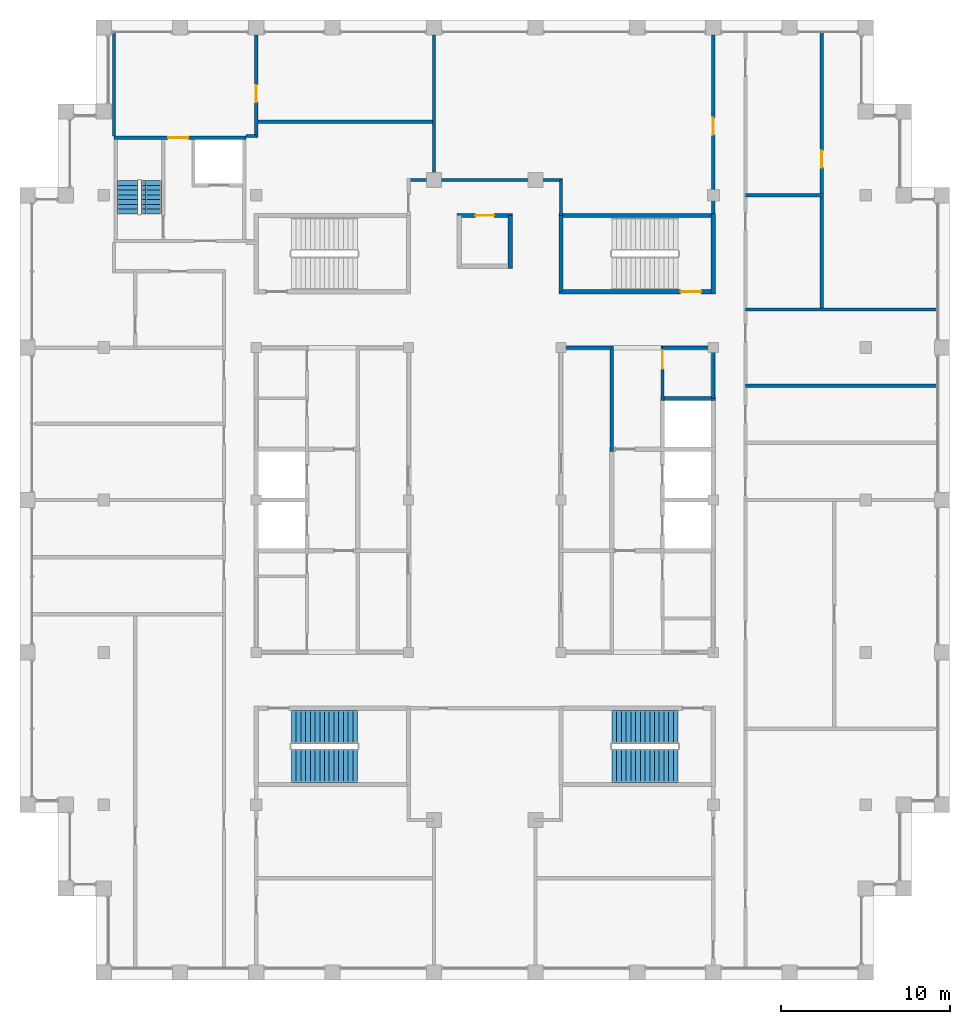
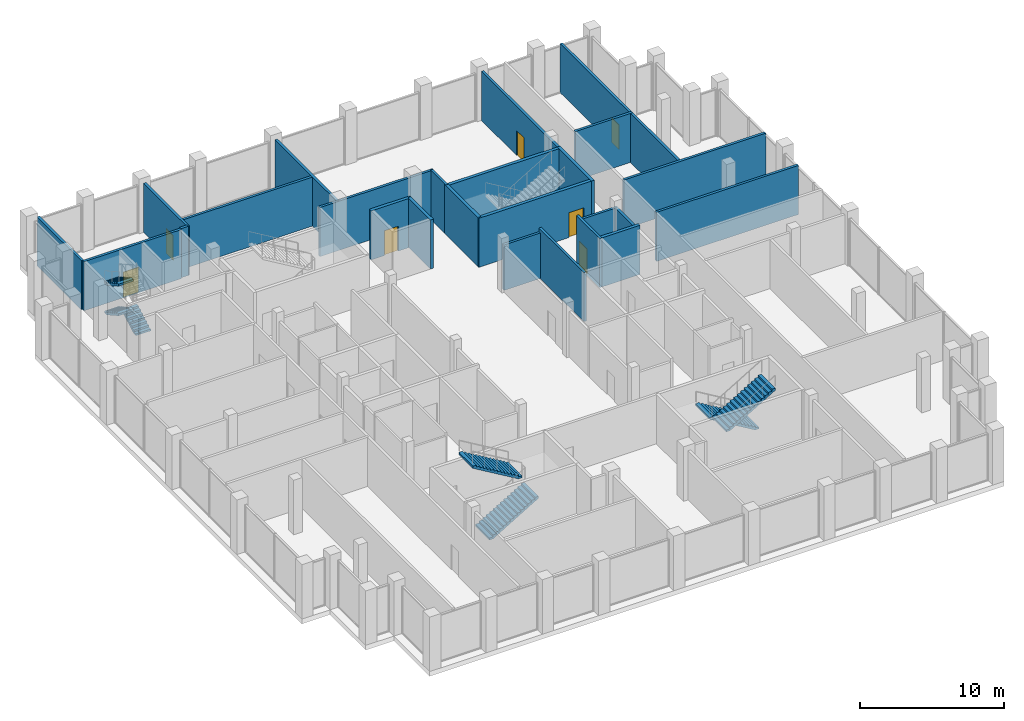
# One storey, part 10 of 12: 25 walls, 7 doors, 7 stair flights, 7 openings, 3 elements without a shape of their own.
"""IFC4 building model written with IfcOpenShell, lengths in metres."""

from ifc_helpers import new_model, si_unit, direction, frame, frame_2d, origin, place, context, subcontext, project, spatial, polyline, rectangle, outline, extrude, material, layer, layer_set, type_object, element, fill, aggregate, save


model = new_model("IFC4")

# Units and contexts
model_context = context("Model", 3, precision=1e-05, world=origin(), true_north=direction((0.0, 1.0)))
body_context = subcontext(model_context, "Body", "Model", "MODEL_VIEW")
ifc_project = project(units=[si_unit("LENGTHUNIT", "METRE"), si_unit("AREAUNIT", "SQUARE_METRE"), si_unit("VOLUMEUNIT", "CUBIC_METRE"), si_unit("PLANEANGLEUNIT", "RADIAN"), si_unit("MASSUNIT", "GRAM", prefix="KILO")], contexts=[model_context])

# Site, building, storey
site_placement = place(None, origin())
site = spatial("IfcSite", under=ifc_project, at=site_placement, CompositionType="ELEMENT")
building_placement = place(site_placement, origin())
building = spatial("IfcBuilding", under=site, at=building_placement, Name="Corbelhall Arena Tower", CompositionType="ELEMENT")
storey_placement = place(building_placement, frame((0.0, 0.0, 356.0)))
storey = spatial("IfcBuildingStorey", under=building, at=storey_placement, Name="L78", CompositionType="ELEMENT", Elevation=356.0)

# Walls
ifc_material_1 = material(Name="Gypsum board on steel stud, acoustic", Category="steel")
ifc_layer_1 = layer(ifc_material_1, 0.199951171875)
ifc_layer_set_1 = layer_set([ifc_layer_1], Name="IN-W-DM200")
wall_type_1 = type_object("IfcWallType", Name="IN-W-DM200", PredefinedType="PARTITIONING", material=ifc_layer_set_1)
wall_1_placement = place(storey_placement, frame((-21.89990234375, 21.5, 0.0), z_axis=(0.0, 0.0, 1.0), x_axis=(0.0, 1.0, 0.0)))
element("IfcWall", 1, at=wall_1_placement, inside=storey, type_object=wall_type_1, Name="Partition 006", PredefinedType="PARTITIONING", context=body_context, shape_type="SweptSolid", body=[
    extrude(rectangle(XDim=6.135986328125, YDim=0.199951171875, at=frame_2d((3.06787109375, 0.0))), origin(), (0.0, 0.0, 1.0), 4.149658203125),
])
wall_2_placement = place(storey_placement, frame((-13.5, 21.5, 0.0), z_axis=(0.0, 0.0, 1.0), x_axis=(-1.0, 0.0, 0.0)))
element("IfcWall", 2, at=wall_2_placement, inside=storey, type_object=wall_type_1, Name="Partition 015", PredefinedType="PARTITIONING", context=body_context, shape_type="SweptSolid", body=[
    extrude(rectangle(XDim=0.60009765625, YDim=0.199951171875, at=frame_2d((0.300048828125, 0.0))), origin(), (0.0, 0.0, 1.0), 4.149658203125),
])
wall_3_placement = place(storey_placement, frame((-13.5, 22.35009765625, 0.0), z_axis=(0.0, 0.0, 1.0), x_axis=(1.0, 0.0, 0.0)))
element("IfcWall", 3, at=wall_3_placement, inside=storey, type_object=wall_type_1, Name="Partition 016", PredefinedType="PARTITIONING", context=body_context, shape_type="SweptSolid", body=[
    extrude(rectangle(XDim=10.60009765625, YDim=0.199951171875, at=frame_2d((5.300048828125, 0.0))), origin(), (0.0, 0.0, 1.0), 4.149658203125),
])

# Wall, opening, door
wall_4_placement = place(storey_placement, frame((-13.5, 27.449951171875, 0.0), z_axis=(0.0, 0.0, 1.0), x_axis=(0.0, -1.0, 0.0)))
wall_4 = element("IfcWall", 4, at=wall_4_placement, inside=storey, type_object=wall_type_1, Name="Partition 017", PredefinedType="PARTITIONING", context=body_context, shape_type="SweptSolid", body=[
    extrude(rectangle(XDim=6.050048828125, YDim=0.199951171875, at=frame_2d((3.02490234375, 0.0))), origin(), (0.0, 0.0, 1.0), 4.149658203125),
])
opening_1_placement = place(wall_4_placement, frame((2.949951171875, 0.0, 0.0)))
opening_1 = element("IfcOpeningElement", 5, at=opening_1_placement, cuts=wall_4, Name="Opening 32022", PredefinedType="OPENING", context=body_context, shape_type="SweptSolid", body=[
    extrude(rectangle(XDim=1.0, YDim=2.10009765625, at=frame_2d((0.5, 1.050048828125))), frame((0.0, 0.10009765625, 0.0), z_axis=(0.0, -1.0, 0.0), x_axis=(1.0, 0.0, 0.0)), (0.0, 0.0, 1.0), 0.199951171875),
])
ifc_material_2 = material(Name="Steel door set", Category="steel")
door_type_1 = type_object("IfcDoorType", Name="IN-D-SW100", OperationType="NOTDEFINED", PredefinedType="DOOR", material=ifc_material_2)
door_1_placement = place(opening_1_placement, origin())
door_1 = element("IfcDoor", 6, at=door_1_placement, inside=storey, type_object=door_type_1, Name="Door 022", OperationType="SINGLE_SWING_LEFT", OverallHeight=2.10009765625, OverallWidth=1.0, PredefinedType="DOOR", context=body_context, shape_type="SweptSolid", body=[
    extrude(rectangle(XDim=1.0, YDim=2.10009765625, at=frame_2d((0.5, 1.050048828125))), frame((0.0, 0.02490234375, 0.0), z_axis=(0.0, -1.0, 0.0), x_axis=(1.0, 0.0, 0.0)), (0.0, 0.0, 1.0), 0.050048828125),
])
fill(opening_1, door_1)

# Walls
wall_5_placement = place(storey_placement, frame((-4.5, 18.89990234375, 0.0), z_axis=(0.0, 0.0, 1.0), x_axis=(1.0, 0.0, 0.0)))
element("IfcWall", 7, at=wall_5_placement, inside=storey, type_object=wall_type_1, Name="Partition 020", PredefinedType="PARTITIONING", context=body_context, shape_type="SweptSolid", body=[
    extrude(rectangle(XDim=9.10009765625, YDim=0.199951171875, at=frame_2d((4.550048828125, 0.0))), origin(), (0.0, 0.0, 1.0), 4.149658203125),
])
wall_6_placement = place(storey_placement, frame((-3.0, 27.449951171875, 0.0), z_axis=(0.0, 0.0, 1.0), x_axis=(0.0, -1.0, 0.0)))
element("IfcWall", 8, at=wall_6_placement, inside=storey, type_object=wall_type_1, Name="Partition 023", PredefinedType="PARTITIONING", context=body_context, shape_type="SweptSolid", body=[
    extrude(rectangle(XDim=8.550048828125, YDim=0.199951171875, at=frame_2d((4.27490234375, 0.0))), origin(), (0.0, 0.0, 1.0), 4.149658203125),
])
wall_7_placement = place(storey_placement, frame((4.5, 18.89990234375, 0.0), z_axis=(0.0, 0.0, 1.0), x_axis=(0.0, -1.0, 0.0)))
element("IfcWall", 9, at=wall_7_placement, inside=storey, type_object=wall_type_1, Name="Partition 028", PredefinedType="PARTITIONING", context=body_context, shape_type="SweptSolid", body=[
    extrude(rectangle(XDim=2.099853515625, YDim=0.199951171875, at=frame_2d((1.0498046875, 0.0))), origin(), (0.0, 0.0, 1.0), 4.149658203125),
])

# Wall, opening, door
wall_8_placement = place(storey_placement, frame((13.5, 16.675048828125, 0.0), z_axis=(0.0, 0.0, 1.0), x_axis=(0.0, 1.0, 0.0)))
wall_8 = element("IfcWall", 10, at=wall_8_placement, inside=storey, type_object=wall_type_1, Name="Partition 031", PredefinedType="PARTITIONING", context=body_context, shape_type="SweptSolid", body=[
    extrude(rectangle(XDim=10.77490234375, YDim=0.199951171875, at=frame_2d((5.387451171875, 0.0))), origin(), (0.0, 0.0, 1.0), 4.149658203125),
])
opening_2_placement = place(wall_8_placement, frame((4.89990234375, 0.0, 0.0)))
opening_2 = element("IfcOpeningElement", 11, at=opening_2_placement, cuts=wall_8, Name="Opening 32023", PredefinedType="OPENING", context=body_context, shape_type="SweptSolid", body=[
    extrude(rectangle(XDim=1.0, YDim=2.10009765625, at=frame_2d((0.5, 1.050048828125))), frame((0.0, 0.10009765625, 0.0), z_axis=(0.0, -1.0, 0.0), x_axis=(1.0, 0.0, 0.0)), (0.0, 0.0, 1.0), 0.199951171875),
])
door_2_placement = place(opening_2_placement, origin())
door_2 = element("IfcDoor", 12, at=door_2_placement, inside=storey, type_object=door_type_1, Name="Door 023", OperationType="SINGLE_SWING_RIGHT", OverallHeight=2.10009765625, OverallWidth=1.0, PredefinedType="DOOR", context=body_context, shape_type="SweptSolid", body=[
    extrude(rectangle(XDim=1.0, YDim=2.10009765625, at=frame_2d((0.5, 1.050048828125))), frame((0.0, 0.02490234375, 0.0), z_axis=(0.0, -1.0, 0.0), x_axis=(1.0, 0.0, 0.0)), (0.0, 0.0, 1.0), 0.050048828125),
])
fill(opening_2, door_2)

# Walls
for number, where, z_axis, x_axis, name in (
    (13, (15.39990234375, 6.75, 0.0), (0.0, 0.0, 1.0), (1.0, 0.0, 0.0), "Partition 035"),
    (14, (15.39990234375, 11.25, 0.0), (0.0, 0.0, 1.0), (1.0, 0.0, 0.0), "Partition 036"),
):
    element("IfcWall", number, at=place(storey_placement, frame(where, z_axis=z_axis, x_axis=x_axis)), inside=storey, type_object=wall_type_1, Name=name, PredefinedType="PARTITIONING", context=body_context, shape_type="SweptSolid", body=[
        extrude(rectangle(XDim=11.336181640625, YDim=0.199951171875, at=frame_2d((5.66796875, 0.0))), origin(), (0.0, 0.0, 1.0), 4.149658203125),
    ])
wall_9_placement = place(storey_placement, frame((15.39990234375, 18.0, 0.0), z_axis=(0.0, 0.0, 1.0), x_axis=(1.0, 0.0, 0.0)))
element("IfcWall", 15, at=wall_9_placement, inside=storey, type_object=wall_type_1, Name="Partition 037", PredefinedType="PARTITIONING", context=body_context, shape_type="SweptSolid", body=[
    extrude(rectangle(XDim=4.60009765625, YDim=0.199951171875, at=frame_2d((2.300048828125, 0.0))), origin(), (0.0, 0.0, 1.0), 4.149658203125),
])

# Wall, opening, door
wall_10_placement = place(storey_placement, frame((19.89990234375, 27.635986328125, 0.0), z_axis=(0.0, 0.0, 1.0), x_axis=(0.0, -1.0, 0.0)))
wall_10 = element("IfcWall", 16, at=wall_10_placement, inside=storey, type_object=wall_type_1, Name="Partition 038", PredefinedType="PARTITIONING", context=body_context, shape_type="SweptSolid", body=[
    extrude(rectangle(XDim=16.385986328125, YDim=0.199951171875, at=frame_2d((8.19287109375, 0.0))), origin(), (0.0, 0.0, 1.0), 4.149658203125),
])
opening_3_placement = place(wall_10_placement, frame((7.0, 0.0, 0.0)))
opening_3 = element("IfcOpeningElement", 17, at=opening_3_placement, cuts=wall_10, Name="Opening 32041", PredefinedType="OPENING", context=body_context, shape_type="SweptSolid", body=[
    extrude(rectangle(XDim=1.0, YDim=2.10009765625, at=frame_2d((0.5, 1.050048828125))), frame((0.0, 0.10009765625, 0.0), z_axis=(0.0, -1.0, 0.0), x_axis=(1.0, 0.0, 0.0)), (0.0, 0.0, 1.0), 0.199951171875),
])
door_3_placement = place(opening_3_placement, origin())
door_3 = element("IfcDoor", 18, at=door_3_placement, inside=storey, type_object=door_type_1, Name="Door 041", OperationType="SINGLE_SWING_RIGHT", OverallHeight=2.10009765625, OverallWidth=1.0, PredefinedType="DOOR", context=body_context, shape_type="SweptSolid", body=[
    extrude(rectangle(XDim=1.0, YDim=2.10009765625, at=frame_2d((0.5, 1.050048828125))), frame((0.0, 0.02490234375, 0.0), z_axis=(0.0, -1.0, 0.0), x_axis=(1.0, 0.0, 0.0)), (0.0, 0.0, 1.0), 0.050048828125),
])
fill(opening_3, door_3)

ifc_material_3 = material(Name="Concrete C40/50", Category="concrete")
ifc_layer_2 = layer(ifc_material_3, 0.199951171875)
ifc_layer_set_2 = layer_set([ifc_layer_2], Name="IN-W-EAR200")
wall_type_2 = type_object("IfcWallType", Name="IN-W-EAR200", PredefinedType="SOLIDWALL", material=ifc_layer_set_2)
wall_11_placement = place(storey_placement, frame((-21.89990234375, 21.39990234375, 0.0), z_axis=(0.0, 0.0, 1.0), x_axis=(1.0, 0.0, 0.0)))
wall_11 = element("IfcWall", 19, at=wall_11_placement, inside=storey, type_object=wall_type_2, Name="Fire service turret wall north", PredefinedType="SOLIDWALL", context=body_context, shape_type="SweptSolid", body=[
    extrude(rectangle(XDim=7.7998046875, YDim=0.199951171875, at=frame_2d((3.89990234375, 0.0))), origin(), (0.0, 0.0, 1.0), 4.149658203125),
])
opening_4_placement = place(wall_11_placement, frame((3.199951171875, 0.0, 0.0)))
opening_4 = element("IfcOpeningElement", 20, at=opening_4_placement, cuts=wall_11, Name="Opening E323", PredefinedType="OPENING", context=body_context, shape_type="SweptSolid", body=[
    extrude(rectangle(XDim=1.199951171875, YDim=2.10009765625, at=frame_2d((0.60009765625, 1.050048828125))), frame((0.0, 0.10009765625, 0.0), z_axis=(0.0, -1.0, 0.0), x_axis=(1.0, 0.0, 0.0)), (0.0, 0.0, 1.0), 0.199951171875),
])
door_type_2 = type_object("IfcDoorType", Name="IN-D-ST120", OperationType="NOTDEFINED", PredefinedType="DOOR", material=ifc_material_2)
door_4_placement = place(opening_4_placement, origin())
door_4 = element("IfcDoor", 21, at=door_4_placement, inside=storey, type_object=door_type_2, Name="Door from fire service lift lobby to the north gallery", OperationType="SINGLE_SWING_LEFT", OverallHeight=2.10009765625, OverallWidth=1.199951171875, PredefinedType="DOOR", context=body_context, shape_type="SweptSolid", body=[
    extrude(rectangle(XDim=1.199951171875, YDim=2.10009765625, at=frame_2d((0.60009765625, 1.050048828125))), frame((0.0, 0.02490234375, 0.0), z_axis=(0.0, -1.0, 0.0), x_axis=(1.0, 0.0, 0.0)), (0.0, 0.0, 1.0), 0.050048828125),
])
fill(opening_4, door_4)

# Wall
ifc_material_4 = material(Name="Concrete block wall", Category="concrete")
ifc_layer_3 = layer(ifc_material_4, 0.199951171875)
ifc_layer_set_3 = layer_set([ifc_layer_3], Name="IN-W-RS200")
wall_type_3 = type_object("IfcWallType", Name="IN-W-RS200", PredefinedType="SOLIDWALL", material=ifc_layer_set_3)
wall_12_placement = place(storey_placement, frame((7.5, 9.10009765625, 0.0), z_axis=(0.0, 0.0, 1.0), x_axis=(0.0, -1.0, 0.0)))
element("IfcWall", 22, at=wall_12_placement, inside=storey, type_object=wall_type_3, Name="Partition 057", PredefinedType="SOLIDWALL", context=body_context, shape_type="SweptSolid", body=[
    extrude(rectangle(XDim=6.22509765625, YDim=0.199951171875, at=frame_2d((3.112548828125, 0.0))), origin(), (0.0, 0.0, 1.0), 4.149658203125),
])

# Wall, opening, door
wall_13_placement = place(storey_placement, frame((10.5, 9.10009765625, 0.0), z_axis=(0.0, 0.0, 1.0), x_axis=(0.0, -1.0, 0.0)))
wall_13 = element("IfcWall", 23, at=wall_13_placement, inside=storey, type_object=wall_type_3, Name="Partition 060", PredefinedType="SOLIDWALL", context=body_context, shape_type="SweptSolid", body=[
    extrude(rectangle(XDim=3.22509765625, YDim=0.199951171875, at=frame_2d((1.612548828125, 0.0))), origin(), (0.0, 0.0, 1.0), 4.149658203125),
])
opening_5_placement = place(wall_13_placement, frame((0.25, 0.0, 0.0)))
opening_5 = element("IfcOpeningElement", 24, at=opening_5_placement, cuts=wall_13, Name="Opening 32015", PredefinedType="OPENING", context=body_context, shape_type="SweptSolid", body=[
    extrude(rectangle(XDim=1.10009765625, YDim=2.10009765625, at=frame_2d((0.550048828125, 1.050048828125))), frame((0.0, 0.10009765625, 0.0), z_axis=(0.0, -1.0, 0.0), x_axis=(1.0, 0.0, 0.0)), (0.0, 0.0, 1.0), 0.199951171875),
])
door_type_3 = type_object("IfcDoorType", Name="IN-D-FD110", OperationType="NOTDEFINED", PredefinedType="DOOR", material=ifc_material_2)
door_5_placement = place(opening_5_placement, origin())
door_5 = element("IfcDoor", 25, at=door_5_placement, inside=storey, type_object=door_type_3, Name="Door 015", OperationType="SINGLE_SWING_RIGHT", OverallHeight=2.10009765625, OverallWidth=1.10009765625, PredefinedType="DOOR", context=body_context, shape_type="SweptSolid", body=[
    extrude(rectangle(XDim=1.10009765625, YDim=2.10009765625, at=frame_2d((0.550048828125, 1.050048828125))), frame((0.0, 0.02490234375, 0.0), z_axis=(0.0, -1.0, 0.0), x_axis=(1.0, 0.0, 0.0)), (0.0, 0.0, 1.0), 0.050048828125),
])
fill(opening_5, door_5)

# Walls
ifc_layer_4 = layer(ifc_material_4, 0.199951171875)
ifc_layer_set_4 = layer_set([ifc_layer_4], Name="IN-W-RS200 under beam 312 mm")
wall_type_4 = type_object("IfcWallType", Name="IN-W-RS200 under beam 312 mm", PredefinedType="SOLIDWALL", material=ifc_layer_set_4)
for number, where, z_axis, x_axis, name in (
    (26, (4.5, 9.0, 0.0), (0.0, 0.0, 1.0), (1.0, 0.0, 0.0), "Partition 054"),
    (27, (10.5, 9.0, 0.0), (0.0, 0.0, 1.0), (1.0, 0.0, 0.0), "Partition 059"),
):
    element("IfcWall", number, at=place(storey_placement, frame(where, z_axis=z_axis, x_axis=x_axis)), inside=storey, type_object=wall_type_4, Name=name, PredefinedType="SOLIDWALL", context=body_context, shape_type="SweptSolid", body=[
        extrude(rectangle(XDim=3.0, YDim=0.199951171875, at=frame_2d((1.5, 0.0))), origin(), (0.0, 0.0, 1.0), 3.837646484375),
    ])
wall_14_placement = place(storey_placement, frame((13.5, 9.10009765625, 0.0), z_axis=(0.0, 0.0, 1.0), x_axis=(0.0, -1.0, 0.0)))
element("IfcWall", 28, at=wall_14_placement, inside=storey, type_object=wall_type_4, Name="Partition 062", PredefinedType="SOLIDWALL", context=body_context, shape_type="SweptSolid", body=[
    extrude(rectangle(XDim=3.10009765625, YDim=0.199951171875, at=frame_2d((1.550048828125, 0.0))), origin(), (0.0, 0.0, 1.0), 3.837646484375),
])

# Wall, opening, door
ifc_layer_5 = layer(ifc_material_3, 0.25)
ifc_layer_set_5 = layer_set([ifc_layer_5], Name="IN-W-SH250")
wall_type_5 = type_object("IfcWallType", Name="IN-W-SH250", PredefinedType="SOLIDWALL", material=ifc_layer_set_5)
wall_15_placement = place(storey_placement, frame((-1.625, 16.800048828125, 0.0), z_axis=(0.0, 0.0, 1.0), x_axis=(1.0, 0.0, 0.0)))
wall_15 = element("IfcWall", 29, at=wall_15_placement, inside=storey, type_object=wall_type_5, Name="Shaft wall 069", PredefinedType="SOLIDWALL", context=body_context, shape_type="SweptSolid", body=[
    extrude(rectangle(XDim=3.25, YDim=0.25, at=frame_2d((1.625, 0.0))), origin(), (0.0, 0.0, 1.0), 4.149658203125),
])
opening_6_placement = place(wall_15_placement, frame((1.074951171875, 0.0, 0.0)))
opening_6 = element("IfcOpeningElement", 30, at=opening_6_placement, cuts=wall_15, Name="Opening LD", PredefinedType="OPENING", context=body_context, shape_type="SweptSolid", body=[
    extrude(rectangle(XDim=1.10009765625, YDim=2.10009765625, at=frame_2d((0.550048828125, 1.050048828125))), frame((0.0, 0.125, 0.0), z_axis=(0.0, -1.0, 0.0), x_axis=(1.0, 0.0, 0.0)), (0.0, 0.0, 1.0), 0.25),
])
door_type_4 = type_object("IfcDoorType", Name="IN-D-LD110", OperationType="NOTDEFINED", PredefinedType="DOOR", material=ifc_material_2)
door_6_placement = place(opening_6_placement, origin())
door_6 = element("IfcDoor", 31, at=door_6_placement, inside=storey, type_object=door_type_4, Name="Landing door C1", OperationType="SLIDING_TO_LEFT", OverallHeight=2.10009765625, OverallWidth=1.10009765625, PredefinedType="DOOR", context=body_context, shape_type="SweptSolid", body=[
    extrude(rectangle(XDim=1.10009765625, YDim=2.10009765625, at=frame_2d((0.550048828125, 1.050048828125))), frame((0.0, 0.02490234375, 0.0), z_axis=(0.0, -1.0, 0.0), x_axis=(1.0, 0.0, 0.0)), (0.0, 0.0, 1.0), 0.050048828125),
])
fill(opening_6, door_6)

# Walls
for number, where, z_axis, x_axis, name in (
    (32, (1.5, 16.800048828125, 0.0), (0.0, 0.0, 1.0), (0.0, -1.0, 0.0), "Shaft wall 072"),
    (33, (10.5, 6.0, 0.0), (0.0, 0.0, 1.0), (1.0, 0.0, 0.0), "Shaft wall 078"),
):
    element("IfcWall", number, at=place(storey_placement, frame(where, z_axis=z_axis, x_axis=x_axis)), inside=storey, type_object=wall_type_5, Name=name, PredefinedType="SOLIDWALL", context=body_context, shape_type="SweptSolid", body=[
        extrude(rectangle(XDim=3.125, YDim=0.25, at=frame_2d((1.5625, 0.0))), origin(), (0.0, 0.0, 1.0), 4.149658203125),
    ])

# Wall, opening, door
ifc_layer_6 = layer(ifc_material_3, 0.25)
ifc_layer_set_6 = layer_set([ifc_layer_6], Name="IN-W-ST250")
wall_type_6 = type_object("IfcWallType", Name="IN-W-ST250", PredefinedType="SOLIDWALL", material=ifc_layer_set_6)
wall_16_placement = place(storey_placement, frame((4.375, 12.300048828125, 0.0), z_axis=(0.0, 0.0, 1.0), x_axis=(1.0, 0.0, 0.0)))
wall_16 = element("IfcWall", 34, at=wall_16_placement, inside=storey, type_object=wall_type_6, Name="Shaft wall 088", PredefinedType="SOLIDWALL", context=body_context, shape_type="SweptSolid", body=[
    extrude(rectangle(XDim=9.125, YDim=0.25, at=frame_2d((4.5625, 0.0))), origin(), (0.0, 0.0, 1.0), 4.149658203125),
])
opening_7_placement = place(wall_16_placement, frame((7.199951171875, 0.0, 0.0)))
opening_7 = element("IfcOpeningElement", 35, at=opening_7_placement, cuts=wall_16, Name="Opening 32018", PredefinedType="OPENING", context=body_context, shape_type="SweptSolid", body=[
    extrude(rectangle(XDim=1.199951171875, YDim=2.10009765625, at=frame_2d((0.60009765625, 1.050048828125))), frame((0.0, 0.125, 0.0), z_axis=(0.0, -1.0, 0.0), x_axis=(1.0, 0.0, 0.0)), (0.0, 0.0, 1.0), 0.25),
])
door_7_placement = place(opening_7_placement, origin())
door_7 = element("IfcDoor", 36, at=door_7_placement, inside=storey, type_object=door_type_2, Name="Door 018", OperationType="SINGLE_SWING_LEFT", OverallHeight=2.10009765625, OverallWidth=1.199951171875, PredefinedType="DOOR", context=body_context, shape_type="SweptSolid", body=[
    extrude(rectangle(XDim=1.199951171875, YDim=2.10009765625, at=frame_2d((0.60009765625, 1.050048828125))), frame((0.0, 0.02490234375, 0.0), z_axis=(0.0, -1.0, 0.0), x_axis=(1.0, 0.0, 0.0)), (0.0, 0.0, 1.0), 0.050048828125),
])
fill(opening_7, door_7)

# Walls
wall_17_placement = place(storey_placement, frame((4.39990234375, 16.800048828125, 0.0), z_axis=(0.0, 0.0, 1.0), x_axis=(1.0, 0.0, 0.0)))
element("IfcWall", 37, at=wall_17_placement, inside=storey, type_object=wall_type_6, Name="Shaft wall 089", PredefinedType="SOLIDWALL", context=body_context, shape_type="SweptSolid", body=[
    extrude(rectangle(XDim=9.10009765625, YDim=0.25, at=frame_2d((4.550048828125, 0.0))), origin(), (0.0, 0.0, 1.0), 4.149658203125),
])
wall_18_placement = place(storey_placement, frame((4.5, 12.300048828125, 0.0), z_axis=(0.0, 0.0, 1.0), x_axis=(0.0, 1.0, 0.0)))
element("IfcWall", 38, at=wall_18_placement, inside=storey, type_object=wall_type_6, Name="Shaft wall 091", PredefinedType="SOLIDWALL", context=body_context, shape_type="SweptSolid", body=[
    extrude(rectangle(XDim=4.625, YDim=0.25, at=frame_2d((2.3125, 0.0))), origin(), (0.0, 0.0, 1.0), 4.149658203125),
])
wall_19_placement = place(storey_placement, frame((13.5, 12.175048828125, 0.0), z_axis=(0.0, 0.0, 1.0), x_axis=(0.0, 1.0, 0.0)))
element("IfcWall", 39, at=wall_19_placement, inside=storey, type_object=wall_type_6, Name="Shaft wall 095", PredefinedType="SOLIDWALL", context=body_context, shape_type="SweptSolid", body=[
    extrude(rectangle(XDim=4.75, YDim=0.25, at=frame_2d((2.375, 0.0))), origin(), (0.0, 0.0, 1.0), 4.149658203125),
])

# Stair, stair flights
stair_type = type_object("IfcStairType", Name="IN-ST-TOWER", PredefinedType="HALF_TURN_STAIR", material=ifc_material_3)
stair_1_placement = place(storey_placement, origin())
stair_1 = element("IfcStair", 40, at=stair_1_placement, inside=storey, type_object=stair_type, Name="L78 Exit stair ST2", PredefinedType="HALF_TURN_STAIR")
stair_flight_type = type_object("IfcStairFlightType", Name="IN-SFL-RC", PredefinedType="STRAIGHT", material=ifc_material_3)
stair_flight_1_placement = place(storey_placement, frame((-11.425048828125, -15.699951171875, 0.0), z_axis=(0.0, 0.0, 1.0), x_axis=(1.0, 0.0, 0.0)))
stair_flight_1 = element("IfcStairFlight", 41, at=stair_flight_1_placement, type_object=stair_flight_type, Name="ST2 flight 1", NumberOfRisers=15, NumberOfTreads=14, PredefinedType="STRAIGHT", RiserHeight=0.166666667, TreadLength=0.28, context=body_context, shape_type="SweptSolid", body=[
    extrude(outline(polyline([(0.0, 0.0), (0.0, 0.166748046875), (0.280029296875, 0.166748046875), (0.280029296875, 0.333251953125), (0.56005859375, 0.333251953125), (0.56005859375, 0.5), (0.840087890625, 0.5), (0.840087890625, 0.666748046875), (1.1201171875, 0.666748046875), (1.1201171875, 0.833251953125), (1.39990234375, 0.833251953125), (1.39990234375, 1.0), (1.679931640625, 1.0), (1.679931640625, 1.166748046875), (1.9599609375, 1.166748046875), (1.9599609375, 1.333251953125), (2.239990234375, 1.333251953125), (2.239990234375, 1.5), (2.52001953125, 1.5), (2.52001953125, 1.666748046875), (2.800048828125, 1.666748046875), (2.800048828125, 1.833251953125), (3.080078125, 1.833251953125), (3.080078125, 2.0), (3.360107421875, 2.0), (3.360107421875, 2.166748046875), (3.639892578125, 2.166748046875), (3.639892578125, 2.333251953125), (3.919921875, 2.333251953125), (3.919921875, 2.5), (3.919921875, 2.158935546875), (0.29296875, 0.0), (0.0, 0.0)])), frame((0.0, 0.97509765625, 0.0), z_axis=(0.0, -1.0, 0.0), x_axis=(1.0, 0.0, 0.0)), (0.0, 0.0, 1.0), 1.949951171875),
])
stair_flight_2_placement = place(storey_placement, frame((-7.5048828125, -13.39990234375, 2.5), z_axis=(0.0, 0.0, 1.0), x_axis=(-1.0, 0.0, 0.0)))
stair_flight_2 = element("IfcStairFlight", 42, at=stair_flight_2_placement, type_object=stair_flight_type, Name="ST2 flight 2", NumberOfRisers=15, NumberOfTreads=14, PredefinedType="STRAIGHT", RiserHeight=0.166666667, TreadLength=0.28, context=body_context, shape_type="SweptSolid", body=[
    extrude(outline(polyline([(0.0, 0.0), (0.0, 0.166748046875), (0.280029296875, 0.166748046875), (0.280029296875, 0.333251953125), (0.56005859375, 0.333251953125), (0.56005859375, 0.5), (0.840087890625, 0.5), (0.840087890625, 0.666748046875), (1.1201171875, 0.666748046875), (1.1201171875, 0.833251953125), (1.39990234375, 0.833251953125), (1.39990234375, 1.0), (1.679931640625, 1.0), (1.679931640625, 1.166748046875), (1.9599609375, 1.166748046875), (1.9599609375, 1.333251953125), (2.239990234375, 1.333251953125), (2.239990234375, 1.5), (2.52001953125, 1.5), (2.52001953125, 1.666748046875), (2.800048828125, 1.666748046875), (2.800048828125, 1.833251953125), (3.080078125, 1.833251953125), (3.080078125, 2.0), (3.360107421875, 2.0), (3.360107421875, 2.166748046875), (3.639892578125, 2.166748046875), (3.639892578125, 2.333251953125), (3.919921875, 2.333251953125), (3.919921875, 2.5), (3.919921875, 2.158935546875), (0.29296875, 0.0), (0.0, 0.0)])), frame((0.0, 0.97509765625, 0.0), z_axis=(0.0, -1.0, 0.0), x_axis=(1.0, 0.0, 0.0)), (0.0, 0.0, 1.0), 1.949951171875),
])
aggregate(stair_1, [stair_flight_1, stair_flight_2])

stair_2_placement = place(storey_placement, origin())
stair_2 = element("IfcStair", 43, at=stair_2_placement, inside=storey, type_object=stair_type, Name="L78 Exit stair ST4", PredefinedType="HALF_TURN_STAIR")
stair_flight_3_placement = place(storey_placement, frame((11.425048828125, -13.39990234375, 0.0), z_axis=(0.0, 0.0, 1.0), x_axis=(-1.0, 0.0, 0.0)))
stair_flight_3 = element("IfcStairFlight", 44, at=stair_flight_3_placement, type_object=stair_flight_type, Name="ST4 flight 1", NumberOfRisers=15, NumberOfTreads=14, PredefinedType="STRAIGHT", RiserHeight=0.166666667, TreadLength=0.28, context=body_context, shape_type="SweptSolid", body=[
    extrude(outline(polyline([(0.0, 0.0), (0.0, 0.166748046875), (0.280029296875, 0.166748046875), (0.280029296875, 0.333251953125), (0.56005859375, 0.333251953125), (0.56005859375, 0.5), (0.840087890625, 0.5), (0.840087890625, 0.666748046875), (1.1201171875, 0.666748046875), (1.1201171875, 0.833251953125), (1.39990234375, 0.833251953125), (1.39990234375, 1.0), (1.679931640625, 1.0), (1.679931640625, 1.166748046875), (1.9599609375, 1.166748046875), (1.9599609375, 1.333251953125), (2.239990234375, 1.333251953125), (2.239990234375, 1.5), (2.52001953125, 1.5), (2.52001953125, 1.666748046875), (2.800048828125, 1.666748046875), (2.800048828125, 1.833251953125), (3.080078125, 1.833251953125), (3.080078125, 2.0), (3.360107421875, 2.0), (3.360107421875, 2.166748046875), (3.639892578125, 2.166748046875), (3.639892578125, 2.333251953125), (3.919921875, 2.333251953125), (3.919921875, 2.5), (3.919921875, 2.158935546875), (0.29296875, 0.0), (0.0, 0.0)])), frame((0.0, 0.97509765625, 0.0), z_axis=(0.0, -1.0, 0.0), x_axis=(1.0, 0.0, 0.0)), (0.0, 0.0, 1.0), 1.949951171875),
])
stair_flight_4_placement = place(storey_placement, frame((7.5048828125, -15.699951171875, 2.5), z_axis=(0.0, 0.0, 1.0), x_axis=(1.0, 0.0, 0.0)))
stair_flight_4 = element("IfcStairFlight", 45, at=stair_flight_4_placement, type_object=stair_flight_type, Name="ST4 flight 2", NumberOfRisers=15, NumberOfTreads=14, PredefinedType="STRAIGHT", RiserHeight=0.166666667, TreadLength=0.28, context=body_context, shape_type="SweptSolid", body=[
    extrude(outline(polyline([(0.0, 0.0), (0.0, 0.166748046875), (0.280029296875, 0.166748046875), (0.280029296875, 0.333251953125), (0.56005859375, 0.333251953125), (0.56005859375, 0.5), (0.840087890625, 0.5), (0.840087890625, 0.666748046875), (1.1201171875, 0.666748046875), (1.1201171875, 0.833251953125), (1.39990234375, 0.833251953125), (1.39990234375, 1.0), (1.679931640625, 1.0), (1.679931640625, 1.166748046875), (1.9599609375, 1.166748046875), (1.9599609375, 1.333251953125), (2.239990234375, 1.333251953125), (2.239990234375, 1.5), (2.52001953125, 1.5), (2.52001953125, 1.666748046875), (2.800048828125, 1.666748046875), (2.800048828125, 1.833251953125), (3.080078125, 1.833251953125), (3.080078125, 2.0), (3.360107421875, 2.0), (3.360107421875, 2.166748046875), (3.639892578125, 2.166748046875), (3.639892578125, 2.333251953125), (3.919921875, 2.333251953125), (3.919921875, 2.5), (3.919921875, 2.158935546875), (0.29296875, 0.0), (0.0, 0.0)])), frame((0.0, 0.97509765625, 0.0), z_axis=(0.0, -1.0, 0.0), x_axis=(1.0, 0.0, 0.0)), (0.0, 0.0, 1.0), 1.949951171875),
])
aggregate(stair_2, [stair_flight_3, stair_flight_4])

stair_3_placement = place(storey_placement, origin())
stair_3 = element("IfcStair", 46, at=stair_3_placement, inside=storey, type_object=stair_type, Name="L78 Exit stair ST5", PredefinedType="HALF_TURN_STAIR")
stair_flight_5_placement = place(storey_placement, frame((-19.695068359375, 16.89990234375, 0.0), z_axis=(0.0, 0.0, 1.0), x_axis=(0.0, 1.0, 0.0)))
stair_flight_5 = element("IfcStairFlight", 47, at=stair_flight_5_placement, type_object=stair_flight_type, Name="ST5 flight 1", NumberOfRisers=8, NumberOfTreads=7, PredefinedType="STRAIGHT", RiserHeight=0.15625, TreadLength=0.28, context=body_context, shape_type="SweptSolid", body=[
    extrude(outline(polyline([(0.0, 0.0), (0.0, 0.15625), (0.280029296875, 0.15625), (0.280029296875, 0.3125), (0.56005859375, 0.3125), (0.56005859375, 0.46875), (0.840087890625, 0.46875), (0.840087890625, 0.625), (1.1201171875, 0.625), (1.1201171875, 0.78125), (1.39990234375, 0.78125), (1.39990234375, 0.9375), (1.679931640625, 0.9375), (1.679931640625, 1.09375), (1.9599609375, 1.09375), (1.9599609375, 1.25), (1.9599609375, 0.922119140625), (0.3076171875, 0.0), (0.0, 0.0)])), frame((0.0, 0.60009765625, 0.0), z_axis=(0.0, -1.0, 0.0), x_axis=(1.0, 0.0, 0.0)), (0.0, 0.0, 1.0), 0.300048828125),
    extrude(outline(polyline([(0.0, 0.0), (0.0, 0.15625), (0.280029296875, 0.15625), (0.280029296875, 0.3125), (0.56005859375, 0.3125), (0.56005859375, 0.46875), (0.840087890625, 0.46875), (0.840087890625, 0.625), (1.1201171875, 0.625), (1.1201171875, 0.78125), (1.39990234375, 0.78125), (1.39990234375, 0.9375), (1.679931640625, 0.9375), (1.679931640625, 1.09375), (1.9599609375, 1.09375), (1.9599609375, 1.25), (1.9599609375, 0.922119140625), (0.3076171875, 0.0), (0.0, 0.0)])), frame((0.0, 0.2958984375, 0.0), z_axis=(0.0, -1.0, 0.0), x_axis=(1.0, 0.0, 0.0)), (0.0, 0.0, 1.0), 0.592041015625),
    extrude(outline(polyline([(0.0, 0.0), (0.0, 0.15625), (0.280029296875, 0.15625), (0.280029296875, 0.3125), (0.56005859375, 0.3125), (0.56005859375, 0.46875), (0.840087890625, 0.46875), (0.840087890625, 0.625), (1.1201171875, 0.625), (1.1201171875, 0.78125), (1.39990234375, 0.78125), (1.39990234375, 0.9375), (1.679931640625, 0.9375), (1.679931640625, 1.09375), (1.9599609375, 1.09375), (1.9599609375, 1.25), (1.9599609375, 0.922119140625), (0.3076171875, 0.0), (0.0, 0.0)])), frame((0.0, -0.300048828125, 0.0), z_axis=(0.0, -1.0, 0.0), x_axis=(1.0, 0.0, 0.0)), (0.0, 0.0, 1.0), 0.300048828125),
])
stair_flight_6_placement = place(storey_placement, frame((-21.094970703125, 18.860107421875, 1.25), z_axis=(0.0, 0.0, 1.0), x_axis=(0.0, -1.0, 0.0)))
stair_flight_6 = element("IfcStairFlight", 48, at=stair_flight_6_placement, type_object=stair_flight_type, Name="ST5 flight 2", NumberOfRisers=8, NumberOfTreads=7, PredefinedType="STRAIGHT", RiserHeight=0.15625, TreadLength=0.28, context=body_context, shape_type="SweptSolid", body=[
    extrude(outline(polyline([(0.0, 0.0), (0.0, 0.15625), (0.280029296875, 0.15625), (0.280029296875, 0.3125), (0.56005859375, 0.3125), (0.56005859375, 0.46875), (0.840087890625, 0.46875), (0.840087890625, 0.625), (1.1201171875, 0.625), (1.1201171875, 0.78125), (1.39990234375, 0.78125), (1.39990234375, 0.9375), (1.679931640625, 0.9375), (1.679931640625, 1.09375), (1.9599609375, 1.09375), (1.9599609375, 1.25), (1.9599609375, 0.922119140625), (0.3076171875, 0.0), (0.0, 0.0)])), frame((0.0, 0.60009765625, 0.0), z_axis=(0.0, -1.0, 0.0), x_axis=(1.0, 0.0, 0.0)), (0.0, 0.0, 1.0), 0.300048828125),
    extrude(outline(polyline([(0.0, 0.0), (0.0, 0.15625), (0.280029296875, 0.15625), (0.280029296875, 0.3125), (0.56005859375, 0.3125), (0.56005859375, 0.46875), (0.840087890625, 0.46875), (0.840087890625, 0.625), (1.1201171875, 0.625), (1.1201171875, 0.78125), (1.39990234375, 0.78125), (1.39990234375, 0.9375), (1.679931640625, 0.9375), (1.679931640625, 1.09375), (1.9599609375, 1.09375), (1.9599609375, 1.25), (1.9599609375, 0.922119140625), (0.3076171875, 0.0), (0.0, 0.0)])), frame((0.0, 0.2958984375, 0.0), z_axis=(0.0, -1.0, 0.0), x_axis=(1.0, 0.0, 0.0)), (0.0, 0.0, 1.0), 0.592041015625),
    extrude(outline(polyline([(0.0, 0.0), (0.0, 0.15625), (0.280029296875, 0.15625), (0.280029296875, 0.3125), (0.56005859375, 0.3125), (0.56005859375, 0.46875), (0.840087890625, 0.46875), (0.840087890625, 0.625), (1.1201171875, 0.625), (1.1201171875, 0.78125), (1.39990234375, 0.78125), (1.39990234375, 0.9375), (1.679931640625, 0.9375), (1.679931640625, 1.09375), (1.9599609375, 1.09375), (1.9599609375, 1.25), (1.9599609375, 0.922119140625), (0.3076171875, 0.0), (0.0, 0.0)])), frame((0.0, -0.300048828125, 0.0), z_axis=(0.0, -1.0, 0.0), x_axis=(1.0, 0.0, 0.0)), (0.0, 0.0, 1.0), 0.300048828125),
])
stair_flight_7_placement = place(storey_placement, frame((-21.094970703125, 18.860107421875, 3.75), z_axis=(0.0, 0.0, 1.0), x_axis=(0.0, -1.0, 0.0)))
stair_flight_7 = element("IfcStairFlight", 49, at=stair_flight_7_placement, type_object=stair_flight_type, Name="ST5 flight 4", NumberOfRisers=8, NumberOfTreads=7, PredefinedType="STRAIGHT", RiserHeight=0.15625, TreadLength=0.28, context=body_context, shape_type="SweptSolid", body=[
    extrude(outline(polyline([(0.0, 0.0), (0.0, 0.15625), (0.280029296875, 0.15625), (0.280029296875, 0.3125), (0.56005859375, 0.3125), (0.56005859375, 0.46875), (0.840087890625, 0.46875), (0.840087890625, 0.625), (1.1201171875, 0.625), (1.1201171875, 0.78125), (1.39990234375, 0.78125), (1.39990234375, 0.9375), (1.679931640625, 0.9375), (1.679931640625, 1.09375), (1.9599609375, 1.09375), (1.9599609375, 1.25), (1.9599609375, 0.922119140625), (0.3076171875, 0.0), (0.0, 0.0)])), frame((0.0, 0.60009765625, 0.0), z_axis=(0.0, -1.0, 0.0), x_axis=(1.0, 0.0, 0.0)), (0.0, 0.0, 1.0), 0.300048828125),
    extrude(outline(polyline([(0.0, 0.0), (0.0, 0.15625), (0.280029296875, 0.15625), (0.280029296875, 0.3125), (0.56005859375, 0.3125), (0.56005859375, 0.46875), (0.840087890625, 0.46875), (0.840087890625, 0.625), (1.1201171875, 0.625), (1.1201171875, 0.78125), (1.39990234375, 0.78125), (1.39990234375, 0.9375), (1.679931640625, 0.9375), (1.679931640625, 1.09375), (1.9599609375, 1.09375), (1.9599609375, 1.25), (1.9599609375, 0.922119140625), (0.3076171875, 0.0), (0.0, 0.0)])), frame((0.0, 0.2958984375, 0.0), z_axis=(0.0, -1.0, 0.0), x_axis=(1.0, 0.0, 0.0)), (0.0, 0.0, 1.0), 0.592041015625),
    extrude(outline(polyline([(0.0, 0.0), (0.0, 0.15625), (0.280029296875, 0.15625), (0.280029296875, 0.3125), (0.56005859375, 0.3125), (0.56005859375, 0.46875), (0.840087890625, 0.46875), (0.840087890625, 0.625), (1.1201171875, 0.625), (1.1201171875, 0.78125), (1.39990234375, 0.78125), (1.39990234375, 0.9375), (1.679931640625, 0.9375), (1.679931640625, 1.09375), (1.9599609375, 1.09375), (1.9599609375, 1.25), (1.9599609375, 0.922119140625), (0.3076171875, 0.0), (0.0, 0.0)])), frame((0.0, -0.300048828125, 0.0), z_axis=(0.0, -1.0, 0.0), x_axis=(1.0, 0.0, 0.0)), (0.0, 0.0, 1.0), 0.300048828125),
])
aggregate(stair_3, [stair_flight_5, stair_flight_6, stair_flight_7])

save(model, "model.ifc")
